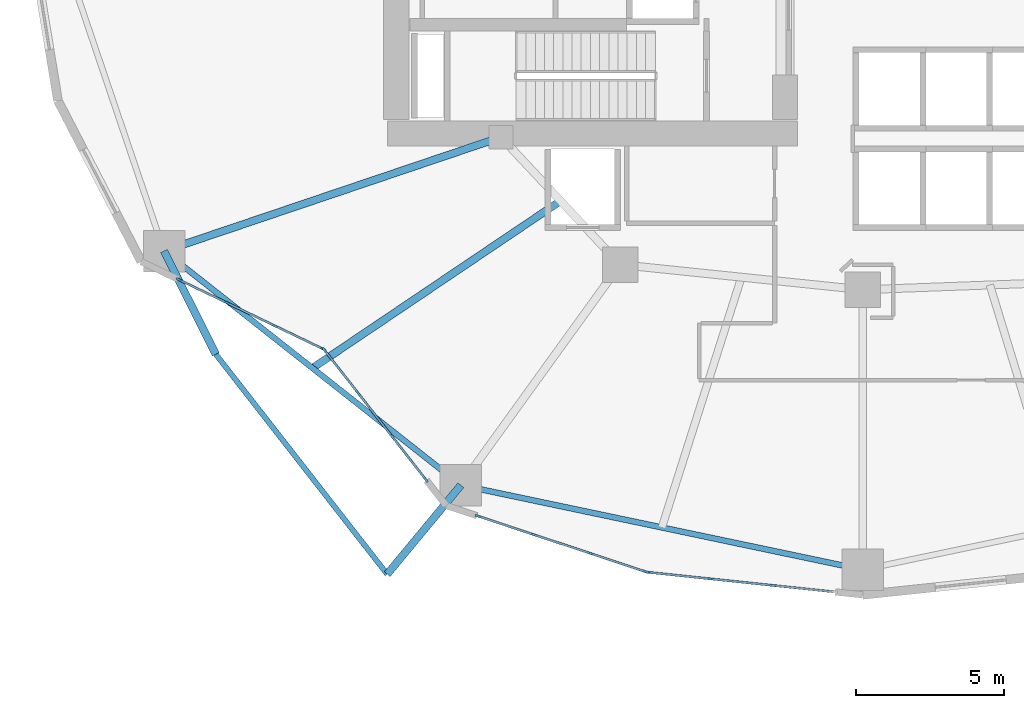
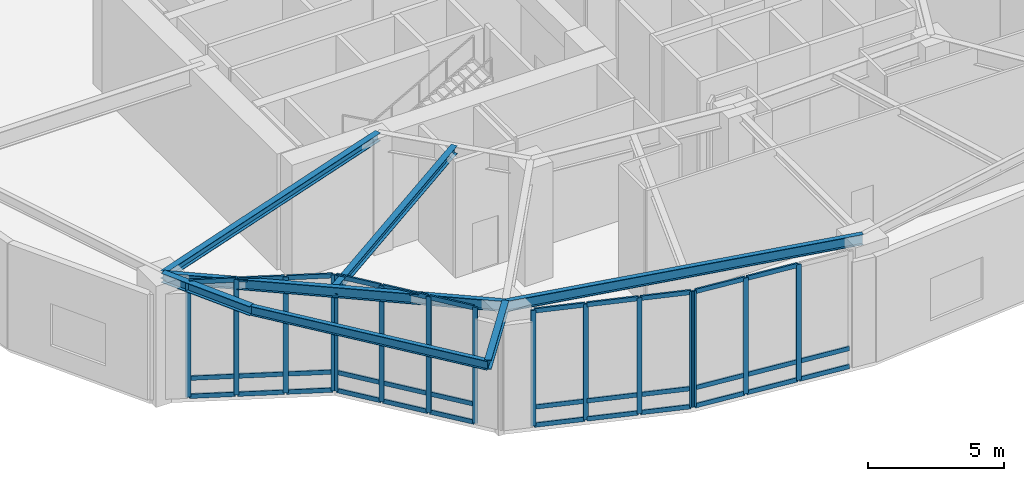
# One storey, part 5 of 29: 50 members, 7 beams, 4 elements without a shape of their own.
"""IFC4 building model written with IfcOpenShell, lengths in metres."""

from ifc_helpers import new_model, si_unit, direction, frame, origin, origin_2d, place, context, subcontext, project, spatial, rectangle, i_section, extrude, material, layer, layer_set, material_profile, profile_set, type_object, element, aggregate, save


model = new_model("IFC4")

# Units and contexts
model_context = context("Model", 3, precision=1e-05, world=origin(), true_north=direction((0.0, 1.0)))
body_context = subcontext(model_context, "Body", "Model", "MODEL_VIEW")
ifc_project = project(units=[si_unit("LENGTHUNIT", "METRE"), si_unit("AREAUNIT", "SQUARE_METRE"), si_unit("VOLUMEUNIT", "CUBIC_METRE"), si_unit("PLANEANGLEUNIT", "RADIAN"), si_unit("MASSUNIT", "GRAM", prefix="KILO")], contexts=[model_context])

# Site, building, storey
site_placement = place(None, origin())
site = spatial("IfcSite", under=ifc_project, at=site_placement, CompositionType="ELEMENT")
building_placement = place(site_placement, origin())
building = spatial("IfcBuilding", under=site, at=building_placement, Name="Kolvaren Gate Tower and Convention Centre", CompositionType="ELEMENT")
storey_placement = place(building_placement, frame((0.0, 0.0, 21.0)))
storey = spatial("IfcBuildingStorey", under=building, at=storey_placement, Name="L04", CompositionType="ELEMENT", Elevation=21.0)

# Curtain wall, members
ifc_material_1 = material(Name="Anodized Architectural Aluminium Alloy 6063-T6", Category="aluminium")
ifc_layer = layer(ifc_material_1, 0.179931640625)
ifc_layer_set = layer_set([ifc_layer], Name="Anodized Architectural Aluminium Alloy 6063-T6")
curtain_wall_type = type_object("IfcCurtainWallType", Name="CW-POD-GLZ", PredefinedType="NOTDEFINED", material=ifc_layer_set)
curtain_wall_1_placement = place(storey_placement, origin())
curtain_wall_1 = element("IfcCurtainWall", 1, at=curtain_wall_1_placement, inside=storey, type_object=curtain_wall_type, Name="Tower L04 Unitised Curtain Wall CW-POD-GLZ Bay 14", PredefinedType="NOTDEFINED")
ifc_material_profile_1 = material_profile(ifc_material_1, rectangle(XDim=0.074951171875, YDim=0.199951171875, at=origin_2d()), Name="CW-MEM-MUL-200")
ifc_profile_set_1 = profile_set([ifc_material_profile_1], Name="Anodized Architectural Aluminium Alloy 6063-T6")
member_type_1 = type_object("IfcMemberType", Name="CW-MEM-MUL-200", PredefinedType="MULLION", material=ifc_profile_set_1)
member_1_placement = place(storey_placement, frame((7.046630859375, 15.1357421875, 0.0), z_axis=(0.0, 0.0, 1.0), x_axis=(0.433056703319, 0.901366679942, 0.0)))
member_1 = element("IfcMember", 2, at=member_1_placement, type_object=member_type_1, Name="CW-01 mullion 1", PredefinedType="MULLION", context=body_context, shape_type="SweptSolid", body=[
    extrude(rectangle(XDim=0.074951171875, YDim=0.199951171875, at=origin_2d()), origin(), (0.0, 0.0, 1.0), 5.219970703125),
])
member_2_placement = place(storey_placement, frame((8.6533203125, 14.36376953125, 0.0), z_axis=(0.0, 0.0, 1.0), x_axis=(0.433056703319, 0.901366679942, 0.0)))
member_2 = element("IfcMember", 3, at=member_2_placement, type_object=member_type_1, Name="CW-01 mullion 2", PredefinedType="MULLION", context=body_context, shape_type="SweptSolid", body=[
    extrude(rectangle(XDim=0.074951171875, YDim=0.199951171875, at=origin_2d()), origin(), (0.0, 0.0, 1.0), 5.219970703125),
])
member_3_placement = place(storey_placement, frame((10.2939453125, 13.575439453125, 0.0), z_axis=(0.0, 0.0, 1.0), x_axis=(0.433056703319, 0.901366679942, 0.0)))
member_3 = element("IfcMember", 4, at=member_3_placement, type_object=member_type_1, Name="CW-01 mullion 3", PredefinedType="MULLION", context=body_context, shape_type="SweptSolid", body=[
    extrude(rectangle(XDim=0.074951171875, YDim=0.199951171875, at=origin_2d()), origin(), (0.0, 0.0, 1.0), 5.219970703125),
])
member_4_placement = place(storey_placement, frame((11.90087890625, 12.803466796875, 0.0), z_axis=(0.0, 0.0, 1.0), x_axis=(0.433056703319, 0.901366679942, 0.0)))
member_4 = element("IfcMember", 5, at=member_4_placement, type_object=member_type_1, Name="CW-01 mullion 4", PredefinedType="MULLION", context=body_context, shape_type="SweptSolid", body=[
    extrude(rectangle(XDim=0.074951171875, YDim=0.199951171875, at=origin_2d()), origin(), (0.0, 0.0, 1.0), 5.219970703125),
])

curtain_wall_2_placement = place(storey_placement, origin())
curtain_wall_2 = element("IfcCurtainWall", 6, at=curtain_wall_2_placement, inside=storey, type_object=curtain_wall_type, Name="Tower L04 Unitised Curtain Wall CW-POD-GLZ Bay 15", PredefinedType="NOTDEFINED")
member_5_placement = place(storey_placement, frame((11.957763671875, 12.757568359375, 0.0), z_axis=(0.0, 0.0, 1.0), x_axis=(0.787416755422, 0.616421003276, 0.0)))
member_5 = element("IfcMember", 7, at=member_5_placement, type_object=member_type_1, Name="CW-01 mullion 1", PredefinedType="MULLION", context=body_context, shape_type="SweptSolid", body=[
    extrude(rectangle(XDim=0.074951171875, YDim=0.199951171875, at=origin_2d()), origin(), (0.0, 0.0, 1.0), 5.219970703125),
])
member_6_placement = place(storey_placement, frame((13.08935546875, 11.31201171875, 0.0), z_axis=(0.0, 0.0, 1.0), x_axis=(0.787416755422, 0.616421003276, 0.0)))
member_6 = element("IfcMember", 8, at=member_6_placement, type_object=member_type_1, Name="CW-01 mullion 2", PredefinedType="MULLION", context=body_context, shape_type="SweptSolid", body=[
    extrude(rectangle(XDim=0.074951171875, YDim=0.199951171875, at=origin_2d()), origin(), (0.0, 0.0, 1.0), 5.219970703125),
])
member_7_placement = place(storey_placement, frame((14.244140625, 9.8369140625, 0.0), z_axis=(0.0, 0.0, 1.0), x_axis=(0.787416755422, 0.616421003276, 0.0)))
member_7 = element("IfcMember", 9, at=member_7_placement, type_object=member_type_1, Name="CW-01 mullion 3", PredefinedType="MULLION", context=body_context, shape_type="SweptSolid", body=[
    extrude(rectangle(XDim=0.074951171875, YDim=0.199951171875, at=origin_2d()), origin(), (0.0, 0.0, 1.0), 5.219970703125),
])
member_8_placement = place(storey_placement, frame((15.3759765625, 8.391357421875, 0.0), z_axis=(0.0, 0.0, 1.0), x_axis=(0.787416755422, 0.616421003276, 0.0)))
member_8 = element("IfcMember", 10, at=member_8_placement, type_object=member_type_1, Name="CW-01 mullion 4", PredefinedType="MULLION", context=body_context, shape_type="SweptSolid", body=[
    extrude(rectangle(XDim=0.074951171875, YDim=0.199951171875, at=origin_2d()), origin(), (0.0, 0.0, 1.0), 5.219970703125),
])

curtain_wall_3_placement = place(storey_placement, origin())
curtain_wall_3 = element("IfcCurtainWall", 11, at=curtain_wall_3_placement, inside=storey, type_object=curtain_wall_type, Name="Tower L04 Unitised Curtain Wall CW-POD-GLZ Bay 16", PredefinedType="NOTDEFINED")
member_9_placement = place(storey_placement, frame((17.137451171875, 7.158203125, 0.0), z_axis=(0.0, 0.0, 1.0), x_axis=(0.314546537175, 0.949242053404, 0.0)))
member_9 = element("IfcMember", 12, at=member_9_placement, type_object=member_type_1, Name="CW-01 mullion 1", PredefinedType="MULLION", context=body_context, shape_type="SweptSolid", body=[
    extrude(rectangle(XDim=0.074951171875, YDim=0.199951171875, at=origin_2d()), origin(), (0.0, 0.0, 1.0), 5.219970703125),
])
member_10_placement = place(storey_placement, frame((19.0166015625, 6.53564453125, 0.0), z_axis=(0.0, 0.0, 1.0), x_axis=(0.314546537175, 0.949242053404, 0.0)))
member_10 = element("IfcMember", 13, at=member_10_placement, type_object=member_type_1, Name="CW-01 mullion 2", PredefinedType="MULLION", context=body_context, shape_type="SweptSolid", body=[
    extrude(rectangle(XDim=0.074951171875, YDim=0.199951171875, at=origin_2d()), origin(), (0.0, 0.0, 1.0), 5.219970703125),
])
member_11_placement = place(storey_placement, frame((20.93115234375, 5.901123046875, 0.0), z_axis=(0.0, 0.0, 1.0), x_axis=(0.314546537175, 0.949242053404, 0.0)))
member_11 = element("IfcMember", 14, at=member_11_placement, type_object=member_type_1, Name="CW-01 mullion 3", PredefinedType="MULLION", context=body_context, shape_type="SweptSolid", body=[
    extrude(rectangle(XDim=0.074951171875, YDim=0.199951171875, at=origin_2d()), origin(), (0.0, 0.0, 1.0), 5.219970703125),
])
member_12_placement = place(storey_placement, frame((22.81005859375, 5.278564453125, 0.0), z_axis=(0.0, 0.0, 1.0), x_axis=(0.314546537175, 0.949242053404, 0.0)))
member_12 = element("IfcMember", 15, at=member_12_placement, type_object=member_type_1, Name="CW-01 mullion 4", PredefinedType="MULLION", context=body_context, shape_type="SweptSolid", body=[
    extrude(rectangle(XDim=0.074951171875, YDim=0.199951171875, at=origin_2d()), origin(), (0.0, 0.0, 1.0), 5.219970703125),
])

curtain_wall_4_placement = place(storey_placement, origin())
curtain_wall_4 = element("IfcCurtainWall", 16, at=curtain_wall_4_placement, inside=storey, type_object=curtain_wall_type, Name="Tower L04 Unitised Curtain Wall CW-POD-GLZ Bay 17", PredefinedType="NOTDEFINED")
member_13_placement = place(storey_placement, frame((22.883056640625, 5.2626953125, 0.0), z_axis=(0.0, 0.0, 1.0), x_axis=(0.104741799872, 0.994499449653, 0.0)))
member_13 = element("IfcMember", 17, at=member_13_placement, type_object=member_type_1, Name="CW-01 mullion 1", PredefinedType="MULLION", context=body_context, shape_type="SweptSolid", body=[
    extrude(rectangle(XDim=0.074951171875, YDim=0.199951171875, at=origin_2d()), origin(), (0.0, 0.0, 1.0), 5.219970703125),
])
member_14_placement = place(storey_placement, frame((24.96435546875, 5.04345703125, 0.0), z_axis=(0.0, 0.0, 1.0), x_axis=(0.104741799872, 0.994499449653, 0.0)))
member_14 = element("IfcMember", 18, at=member_14_placement, type_object=member_type_1, Name="CW-01 mullion 2", PredefinedType="MULLION", context=body_context, shape_type="SweptSolid", body=[
    extrude(rectangle(XDim=0.074951171875, YDim=0.199951171875, at=origin_2d()), origin(), (0.0, 0.0, 1.0), 5.219970703125),
])
member_15_placement = place(storey_placement, frame((27.0830078125, 4.8203125, 0.0), z_axis=(0.0, 0.0, 1.0), x_axis=(0.104741799872, 0.994499449653, 0.0)))
member_15 = element("IfcMember", 19, at=member_15_placement, type_object=member_type_1, Name="CW-01 mullion 3", PredefinedType="MULLION", context=body_context, shape_type="SweptSolid", body=[
    extrude(rectangle(XDim=0.074951171875, YDim=0.199951171875, at=origin_2d()), origin(), (0.0, 0.0, 1.0), 5.219970703125),
])

# Member
ifc_material_profile_2 = material_profile(ifc_material_1, rectangle(XDim=0.074951171875, YDim=0.199951171875, at=origin_2d()), Name="CW-MEM-TRN-200")
ifc_profile_set_2 = profile_set([ifc_material_profile_2], Name="Anodized Architectural Aluminium Alloy 6063-T6")
member_type_2 = type_object("IfcMemberType", Name="CW-MEM-TRN-200", PredefinedType="USERDEFINED", material=ifc_profile_set_2)
member_16_placement = place(storey_placement, frame((7.080322265625, 15.119384765625, 0.03759765625), z_axis=(0.901377999465, -0.433033142011, 0.0), x_axis=(0.433033142011, 0.901377999465, 0.0)))
member_16 = element("IfcMember", 20, at=member_16_placement, type_object=member_type_2, Name="CW-01 transom 1.1", ObjectType="TRANSOM", PredefinedType="USERDEFINED", context=body_context, shape_type="SweptSolid", body=[
    extrude(rectangle(XDim=0.074951171875, YDim=0.199951171875, at=origin_2d()), origin(), (0.0, 0.0, 1.0), 1.707763671875),
])

member_17_placement = place(storey_placement, frame((7.080322265625, 15.119384765625, 0.85009765625), z_axis=(0.901377999465, -0.433033142011, 0.0), x_axis=(0.433033142011, 0.901377999465, 0.0)))
member_17 = element("IfcMember", 21, at=member_17_placement, type_object=member_type_2, Name="CW-01 transom 1.2", ObjectType="TRANSOM", PredefinedType="USERDEFINED", context=body_context, shape_type="SweptSolid", body=[
    extrude(rectangle(XDim=0.074951171875, YDim=0.199951171875, at=origin_2d()), origin(), (0.0, 0.0, 1.0), 1.707763671875),
])

member_18_placement = place(storey_placement, frame((7.080322265625, 15.119384765625, 5.1826171875), z_axis=(0.901377999465, -0.433033142011, 0.0), x_axis=(0.433033142011, 0.901377999465, 0.0)))
member_18 = element("IfcMember", 22, at=member_18_placement, type_object=member_type_2, Name="CW-01 transom 1.3", ObjectType="TRANSOM", PredefinedType="USERDEFINED", context=body_context, shape_type="SweptSolid", body=[
    extrude(rectangle(XDim=0.074951171875, YDim=0.199951171875, at=origin_2d()), origin(), (0.0, 0.0, 1.0), 1.707763671875),
])

member_19_placement = place(storey_placement, frame((8.687255859375, 14.347412109375, 0.03759765625), z_axis=(0.901339603895, -0.433113055046, 0.0), x_axis=(0.433113055046, 0.901339603895, 0.0)))
member_19 = element("IfcMember", 23, at=member_19_placement, type_object=member_type_2, Name="CW-01 transom 2.1", ObjectType="TRANSOM", PredefinedType="USERDEFINED", context=body_context, shape_type="SweptSolid", body=[
    extrude(rectangle(XDim=0.074951171875, YDim=0.199951171875, at=origin_2d()), origin(), (0.0, 0.0, 1.0), 1.7451171875),
])

member_20_placement = place(storey_placement, frame((8.687255859375, 14.347412109375, 0.85009765625), z_axis=(0.901339603895, -0.433113055046, 0.0), x_axis=(0.433113055046, 0.901339603895, 0.0)))
member_20 = element("IfcMember", 24, at=member_20_placement, type_object=member_type_2, Name="CW-01 transom 2.2", ObjectType="TRANSOM", PredefinedType="USERDEFINED", context=body_context, shape_type="SweptSolid", body=[
    extrude(rectangle(XDim=0.074951171875, YDim=0.199951171875, at=origin_2d()), origin(), (0.0, 0.0, 1.0), 1.7451171875),
])

member_21_placement = place(storey_placement, frame((8.687255859375, 14.347412109375, 5.1826171875), z_axis=(0.901339603895, -0.433113055046, 0.0), x_axis=(0.433113055046, 0.901339603895, 0.0)))
member_21 = element("IfcMember", 25, at=member_21_placement, type_object=member_type_2, Name="CW-01 transom 2.3", ObjectType="TRANSOM", PredefinedType="USERDEFINED", context=body_context, shape_type="SweptSolid", body=[
    extrude(rectangle(XDim=0.074951171875, YDim=0.199951171875, at=origin_2d()), origin(), (0.0, 0.0, 1.0), 1.7451171875),
])

member_22_placement = place(storey_placement, frame((10.327880859375, 13.55908203125, 0.03759765625), z_axis=(0.901377999465, -0.433033142011, 0.0), x_axis=(0.433033142011, 0.901377999465, 0.0)))
member_22 = element("IfcMember", 26, at=member_22_placement, type_object=member_type_2, Name="CW-01 transom 3.1", ObjectType="TRANSOM", PredefinedType="USERDEFINED", context=body_context, shape_type="SweptSolid", body=[
    extrude(rectangle(XDim=0.074951171875, YDim=0.199951171875, at=origin_2d()), origin(), (0.0, 0.0, 1.0), 1.707763671875),
])

member_23_placement = place(storey_placement, frame((10.327880859375, 13.55908203125, 0.85009765625), z_axis=(0.901377999465, -0.433033142011, 0.0), x_axis=(0.433033142011, 0.901377999465, 0.0)))
member_23 = element("IfcMember", 27, at=member_23_placement, type_object=member_type_2, Name="CW-01 transom 3.2", ObjectType="TRANSOM", PredefinedType="USERDEFINED", context=body_context, shape_type="SweptSolid", body=[
    extrude(rectangle(XDim=0.074951171875, YDim=0.199951171875, at=origin_2d()), origin(), (0.0, 0.0, 1.0), 1.707763671875),
])

member_24_placement = place(storey_placement, frame((10.327880859375, 13.55908203125, 5.1826171875), z_axis=(0.901377999465, -0.433033142011, 0.0), x_axis=(0.433033142011, 0.901377999465, 0.0)))
member_24 = element("IfcMember", 28, at=member_24_placement, type_object=member_type_2, Name="CW-01 transom 3.3", ObjectType="TRANSOM", PredefinedType="USERDEFINED", context=body_context, shape_type="SweptSolid", body=[
    extrude(rectangle(XDim=0.074951171875, YDim=0.199951171875, at=origin_2d()), origin(), (0.0, 0.0, 1.0), 1.707763671875),
])

aggregate(curtain_wall_1, [member_1, member_2, member_3, member_4, member_16, member_17, member_18, member_19, member_20, member_21, member_22, member_23, member_24])

member_25_placement = place(storey_placement, frame((11.98095703125, 12.72802734375, 0.03759765625), z_axis=(0.616442840137, -0.787399660175, 0.0), x_axis=(0.787399660175, 0.616442840137, 0.0)))
member_25 = element("IfcMember", 29, at=member_25_placement, type_object=member_type_2, Name="CW-01 transom 1.1", ObjectType="TRANSOM", PredefinedType="USERDEFINED", context=body_context, shape_type="SweptSolid", body=[
    extrude(rectangle(XDim=0.074951171875, YDim=0.199951171875, at=origin_2d()), origin(), (0.0, 0.0, 1.0), 1.7607421875),
])

member_26_placement = place(storey_placement, frame((11.98095703125, 12.72802734375, 0.85009765625), z_axis=(0.616442840137, -0.787399660175, 0.0), x_axis=(0.787399660175, 0.616442840137, 0.0)))
member_26 = element("IfcMember", 30, at=member_26_placement, type_object=member_type_2, Name="CW-01 transom 1.2", ObjectType="TRANSOM", PredefinedType="USERDEFINED", context=body_context, shape_type="SweptSolid", body=[
    extrude(rectangle(XDim=0.074951171875, YDim=0.199951171875, at=origin_2d()), origin(), (0.0, 0.0, 1.0), 1.7607421875),
])

member_27_placement = place(storey_placement, frame((11.98095703125, 12.72802734375, 5.1826171875), z_axis=(0.616442840137, -0.787399660175, 0.0), x_axis=(0.787399660175, 0.616442840137, 0.0)))
member_27 = element("IfcMember", 31, at=member_27_placement, type_object=member_type_2, Name="CW-01 transom 1.3", ObjectType="TRANSOM", PredefinedType="USERDEFINED", context=body_context, shape_type="SweptSolid", body=[
    extrude(rectangle(XDim=0.074951171875, YDim=0.199951171875, at=origin_2d()), origin(), (0.0, 0.0, 1.0), 1.7607421875),
])

member_28_placement = place(storey_placement, frame((13.112548828125, 11.282470703125, 0.03759765625), z_axis=(0.616465649316, -0.787381802694, 0.0), x_axis=(0.787381802694, 0.616465649316, 0.0)))
member_28 = element("IfcMember", 32, at=member_28_placement, type_object=member_type_2, Name="CW-01 transom 2.1", ObjectType="TRANSOM", PredefinedType="USERDEFINED", context=body_context, shape_type="SweptSolid", body=[
    extrude(rectangle(XDim=0.074951171875, YDim=0.199951171875, at=origin_2d()), origin(), (0.0, 0.0, 1.0), 1.79833984375),
])

member_29_placement = place(storey_placement, frame((13.112548828125, 11.282470703125, 0.85009765625), z_axis=(0.616465649316, -0.787381802694, 0.0), x_axis=(0.787381802694, 0.616465649316, 0.0)))
member_29 = element("IfcMember", 33, at=member_29_placement, type_object=member_type_2, Name="CW-01 transom 2.2", ObjectType="TRANSOM", PredefinedType="USERDEFINED", context=body_context, shape_type="SweptSolid", body=[
    extrude(rectangle(XDim=0.074951171875, YDim=0.199951171875, at=origin_2d()), origin(), (0.0, 0.0, 1.0), 1.79833984375),
])

member_30_placement = place(storey_placement, frame((13.112548828125, 11.282470703125, 5.1826171875), z_axis=(0.616465649316, -0.787381802694, 0.0), x_axis=(0.787381802694, 0.616465649316, 0.0)))
member_30 = element("IfcMember", 34, at=member_30_placement, type_object=member_type_2, Name="CW-01 transom 2.3", ObjectType="TRANSOM", PredefinedType="USERDEFINED", context=body_context, shape_type="SweptSolid", body=[
    extrude(rectangle(XDim=0.074951171875, YDim=0.199951171875, at=origin_2d()), origin(), (0.0, 0.0, 1.0), 1.79833984375),
])

member_31_placement = place(storey_placement, frame((14.267333984375, 9.807373046875, 0.03759765625), z_axis=(0.616442840137, -0.787399660175, 0.0), x_axis=(0.787399660175, 0.616442840137, 0.0)))
member_31 = element("IfcMember", 35, at=member_31_placement, type_object=member_type_2, Name="CW-01 transom 3.1", ObjectType="TRANSOM", PredefinedType="USERDEFINED", context=body_context, shape_type="SweptSolid", body=[
    extrude(rectangle(XDim=0.074951171875, YDim=0.199951171875, at=origin_2d()), origin(), (0.0, 0.0, 1.0), 1.7607421875),
])

member_32_placement = place(storey_placement, frame((14.267333984375, 9.807373046875, 0.85009765625), z_axis=(0.616442840137, -0.787399660175, 0.0), x_axis=(0.787399660175, 0.616442840137, 0.0)))
member_32 = element("IfcMember", 36, at=member_32_placement, type_object=member_type_2, Name="CW-01 transom 3.2", ObjectType="TRANSOM", PredefinedType="USERDEFINED", context=body_context, shape_type="SweptSolid", body=[
    extrude(rectangle(XDim=0.074951171875, YDim=0.199951171875, at=origin_2d()), origin(), (0.0, 0.0, 1.0), 1.7607421875),
])

member_33_placement = place(storey_placement, frame((14.267333984375, 9.807373046875, 5.1826171875), z_axis=(0.616442840137, -0.787399660175, 0.0), x_axis=(0.787399660175, 0.616442840137, 0.0)))
member_33 = element("IfcMember", 37, at=member_33_placement, type_object=member_type_2, Name="CW-01 transom 3.3", ObjectType="TRANSOM", PredefinedType="USERDEFINED", context=body_context, shape_type="SweptSolid", body=[
    extrude(rectangle(XDim=0.074951171875, YDim=0.199951171875, at=origin_2d()), origin(), (0.0, 0.0, 1.0), 1.7607421875),
])

aggregate(curtain_wall_2, [member_5, member_6, member_7, member_8, member_25, member_26, member_27, member_28, member_29, member_30, member_31, member_32, member_33])

member_34_placement = place(storey_placement, frame((17.173095703125, 7.146484375, 0.03759765625), z_axis=(0.949233065789, -0.314573658804, 0.0), x_axis=(0.314573658804, 0.949233065789, 0.0)))
member_34 = element("IfcMember", 38, at=member_34_placement, type_object=member_type_2, Name="CW-01 transom 1.1", ObjectType="TRANSOM", PredefinedType="USERDEFINED", context=body_context, shape_type="SweptSolid", body=[
    extrude(rectangle(XDim=0.074951171875, YDim=0.199951171875, at=origin_2d()), origin(), (0.0, 0.0, 1.0), 1.904541015625),
])

member_35_placement = place(storey_placement, frame((17.173095703125, 7.146484375, 0.85009765625), z_axis=(0.949233065789, -0.314573658804, 0.0), x_axis=(0.314573658804, 0.949233065789, 0.0)))
member_35 = element("IfcMember", 39, at=member_35_placement, type_object=member_type_2, Name="CW-01 transom 1.2", ObjectType="TRANSOM", PredefinedType="USERDEFINED", context=body_context, shape_type="SweptSolid", body=[
    extrude(rectangle(XDim=0.074951171875, YDim=0.199951171875, at=origin_2d()), origin(), (0.0, 0.0, 1.0), 1.904541015625),
])

member_36_placement = place(storey_placement, frame((17.173095703125, 7.146484375, 5.1826171875), z_axis=(0.949233065789, -0.314573658804, 0.0), x_axis=(0.314573658804, 0.949233065789, 0.0)))
member_36 = element("IfcMember", 40, at=member_36_placement, type_object=member_type_2, Name="CW-01 transom 1.3", ObjectType="TRANSOM", PredefinedType="USERDEFINED", context=body_context, shape_type="SweptSolid", body=[
    extrude(rectangle(XDim=0.074951171875, YDim=0.199951171875, at=origin_2d()), origin(), (0.0, 0.0, 1.0), 1.904541015625),
])

member_37_placement = place(storey_placement, frame((19.052001953125, 6.523681640625, 0.03759765625), z_axis=(0.949247481786, -0.314530154871, 0.0), x_axis=(0.314530154871, 0.949247481786, 0.0)))
member_37 = element("IfcMember", 41, at=member_37_placement, type_object=member_type_2, Name="CW-01 transom 2.1", ObjectType="TRANSOM", PredefinedType="USERDEFINED", context=body_context, shape_type="SweptSolid", body=[
    extrude(rectangle(XDim=0.074951171875, YDim=0.199951171875, at=origin_2d()), origin(), (0.0, 0.0, 1.0), 1.942138671875),
])

member_38_placement = place(storey_placement, frame((19.052001953125, 6.523681640625, 0.85009765625), z_axis=(0.949247481786, -0.314530154871, 0.0), x_axis=(0.314530154871, 0.949247481786, 0.0)))
member_38 = element("IfcMember", 42, at=member_38_placement, type_object=member_type_2, Name="CW-01 transom 2.2", ObjectType="TRANSOM", PredefinedType="USERDEFINED", context=body_context, shape_type="SweptSolid", body=[
    extrude(rectangle(XDim=0.074951171875, YDim=0.199951171875, at=origin_2d()), origin(), (0.0, 0.0, 1.0), 1.942138671875),
])

member_39_placement = place(storey_placement, frame((19.052001953125, 6.523681640625, 5.1826171875), z_axis=(0.949247481786, -0.314530154871, 0.0), x_axis=(0.314530154871, 0.949247481786, 0.0)))
member_39 = element("IfcMember", 43, at=member_39_placement, type_object=member_type_2, Name="CW-01 transom 2.3", ObjectType="TRANSOM", PredefinedType="USERDEFINED", context=body_context, shape_type="SweptSolid", body=[
    extrude(rectangle(XDim=0.074951171875, YDim=0.199951171875, at=origin_2d()), origin(), (0.0, 0.0, 1.0), 1.942138671875),
])

member_40_placement = place(storey_placement, frame((20.966796875, 5.889404296875, 0.03759765625), z_axis=(0.949220378414, -0.314611940657, 0.0), x_axis=(0.314611940657, 0.949220378414, 0.0)))
member_40 = element("IfcMember", 44, at=member_40_placement, type_object=member_type_2, Name="CW-01 transom 3.1", ObjectType="TRANSOM", PredefinedType="USERDEFINED", context=body_context, shape_type="SweptSolid", body=[
    extrude(rectangle(XDim=0.074951171875, YDim=0.199951171875, at=origin_2d()), origin(), (0.0, 0.0, 1.0), 1.904296875),
])

member_41_placement = place(storey_placement, frame((20.966796875, 5.889404296875, 0.85009765625), z_axis=(0.949220378414, -0.314611940657, 0.0), x_axis=(0.314611940657, 0.949220378414, 0.0)))
member_41 = element("IfcMember", 45, at=member_41_placement, type_object=member_type_2, Name="CW-01 transom 3.2", ObjectType="TRANSOM", PredefinedType="USERDEFINED", context=body_context, shape_type="SweptSolid", body=[
    extrude(rectangle(XDim=0.074951171875, YDim=0.199951171875, at=origin_2d()), origin(), (0.0, 0.0, 1.0), 1.904296875),
])

member_42_placement = place(storey_placement, frame((20.966796875, 5.889404296875, 5.1826171875), z_axis=(0.949220378414, -0.314611940657, 0.0), x_axis=(0.314611940657, 0.949220378414, 0.0)))
member_42 = element("IfcMember", 46, at=member_42_placement, type_object=member_type_2, Name="CW-01 transom 3.3", ObjectType="TRANSOM", PredefinedType="USERDEFINED", context=body_context, shape_type="SweptSolid", body=[
    extrude(rectangle(XDim=0.074951171875, YDim=0.199951171875, at=origin_2d()), origin(), (0.0, 0.0, 1.0), 1.904296875),
])

aggregate(curtain_wall_3, [member_9, member_10, member_11, member_12, member_34, member_35, member_36, member_37, member_38, member_39, member_40, member_41, member_42])

member_43_placement = place(storey_placement, frame((22.920166015625, 5.2587890625, 0.03759765625), z_axis=(0.994508767121, -0.104653294837, 0.0), x_axis=(0.104653294837, 0.994508767121, 0.0)))
member_43 = element("IfcMember", 47, at=member_43_placement, type_object=member_type_2, Name="CW-01 transom 1.1", ObjectType="TRANSOM", PredefinedType="USERDEFINED", context=body_context, shape_type="SweptSolid", body=[
    extrude(rectangle(XDim=0.074951171875, YDim=0.199951171875, at=origin_2d()), origin(), (0.0, 0.0, 1.0), 2.017822265625),
])

member_44_placement = place(storey_placement, frame((22.920166015625, 5.2587890625, 0.85009765625), z_axis=(0.994508767121, -0.104653294837, 0.0), x_axis=(0.104653294837, 0.994508767121, 0.0)))
member_44 = element("IfcMember", 48, at=member_44_placement, type_object=member_type_2, Name="CW-01 transom 1.2", ObjectType="TRANSOM", PredefinedType="USERDEFINED", context=body_context, shape_type="SweptSolid", body=[
    extrude(rectangle(XDim=0.074951171875, YDim=0.199951171875, at=origin_2d()), origin(), (0.0, 0.0, 1.0), 2.017822265625),
])

member_45_placement = place(storey_placement, frame((22.920166015625, 5.2587890625, 5.1826171875), z_axis=(0.994508767121, -0.104653294837, 0.0), x_axis=(0.104653294837, 0.994508767121, 0.0)))
member_45 = element("IfcMember", 49, at=member_45_placement, type_object=member_type_2, Name="CW-01 transom 1.3", ObjectType="TRANSOM", PredefinedType="USERDEFINED", context=body_context, shape_type="SweptSolid", body=[
    extrude(rectangle(XDim=0.074951171875, YDim=0.199951171875, at=origin_2d()), origin(), (0.0, 0.0, 1.0), 2.017822265625),
])

member_46_placement = place(storey_placement, frame((25.001708984375, 5.03955078125, 0.03759765625), z_axis=(0.994508706958, -0.104653866559, 0.0), x_axis=(0.104653866559, 0.994508706958, 0.0)))
member_46 = element("IfcMember", 50, at=member_46_placement, type_object=member_type_2, Name="CW-01 transom 2.1", ObjectType="TRANSOM", PredefinedType="USERDEFINED", context=body_context, shape_type="SweptSolid", body=[
    extrude(rectangle(XDim=0.074951171875, YDim=0.199951171875, at=origin_2d()), origin(), (0.0, 0.0, 1.0), 2.05517578125),
])

member_47_placement = place(storey_placement, frame((25.001708984375, 5.03955078125, 0.85009765625), z_axis=(0.994508706958, -0.104653866559, 0.0), x_axis=(0.104653866559, 0.994508706958, 0.0)))
member_47 = element("IfcMember", 51, at=member_47_placement, type_object=member_type_2, Name="CW-01 transom 2.2", ObjectType="TRANSOM", PredefinedType="USERDEFINED", context=body_context, shape_type="SweptSolid", body=[
    extrude(rectangle(XDim=0.074951171875, YDim=0.199951171875, at=origin_2d()), origin(), (0.0, 0.0, 1.0), 2.05517578125),
])

member_48_placement = place(storey_placement, frame((25.001708984375, 5.03955078125, 5.1826171875), z_axis=(0.994508706958, -0.104653866559, 0.0), x_axis=(0.104653866559, 0.994508706958, 0.0)))
member_48 = element("IfcMember", 52, at=member_48_placement, type_object=member_type_2, Name="CW-01 transom 2.3", ObjectType="TRANSOM", PredefinedType="USERDEFINED", context=body_context, shape_type="SweptSolid", body=[
    extrude(rectangle(XDim=0.074951171875, YDim=0.199951171875, at=origin_2d()), origin(), (0.0, 0.0, 1.0), 2.05517578125),
])

member_49_placement = place(storey_placement, frame((27.1201171875, 4.81640625, 0.03759765625), z_axis=(0.994508767121, -0.104653294837, 0.0), x_axis=(0.104653294837, 0.994508767121, 0.0)))
member_49 = element("IfcMember", 53, at=member_49_placement, type_object=member_type_2, Name="CW-01 transom 3.1", ObjectType="TRANSOM", PredefinedType="USERDEFINED", context=body_context, shape_type="SweptSolid", body=[
    extrude(rectangle(XDim=0.074951171875, YDim=0.199951171875, at=origin_2d()), origin(), (0.0, 0.0, 1.0), 2.017822265625),
])

member_50_placement = place(storey_placement, frame((27.1201171875, 4.81640625, 0.85009765625), z_axis=(0.994508767121, -0.104653294837, 0.0), x_axis=(0.104653294837, 0.994508767121, 0.0)))
member_50 = element("IfcMember", 54, at=member_50_placement, type_object=member_type_2, Name="CW-01 transom 3.2", ObjectType="TRANSOM", PredefinedType="USERDEFINED", context=body_context, shape_type="SweptSolid", body=[
    extrude(rectangle(XDim=0.074951171875, YDim=0.199951171875, at=origin_2d()), origin(), (0.0, 0.0, 1.0), 2.017822265625),
])

aggregate(curtain_wall_4, [member_13, member_14, member_15, member_43, member_44, member_45, member_46, member_47, member_48, member_49, member_50])

# Beams
ifc_material_2 = material(Name="Structural steel ASTM A992 Grade 345 MPa", Category="steel")
ifc_material_profile_3 = material_profile(ifc_material_2, i_section(OverallWidth=0.260009765625, OverallDepth=0.419921875, WebThickness=0.013427734375, FlangeThickness=0.0224609375, at=origin_2d()), Name="W410X132")
ifc_profile_set_3 = profile_set([ifc_material_profile_3], Name="Structural steel ASTM A992 Grade 345 MPa")
beam_type_1 = type_object("IfcBeamType", Name="STR-BM-W410X132", PredefinedType="BEAM", material=ifc_profile_set_3)
beam_1_placement = place(storey_placement, frame((6.539794921875, 16.1064453125, 5.010498046875), z_axis=(0.448264934313, -0.893900748778, 0.0), x_axis=(0.893900748778, 0.448264934313, 0.0)))
element("IfcBeam", 55, at=beam_1_placement, inside=storey, type_object=beam_type_1, Name="Tower L05 Planted Balcony Outrigger Cantilever BC-3A", PredefinedType="BEAM", context=body_context, shape_type="SweptSolid", body=[
    extrude(i_section(OverallWidth=0.260009765625, OverallDepth=0.419921875, WebThickness=0.013427734375, FlangeThickness=0.0224609375, at=origin_2d()), origin(), (0.0, 0.0, 1.0), 3.900146484375),
])
beam_2_placement = place(storey_placement, frame((16.559814453125, 8.20361328125, 5.010498046875), z_axis=(-0.637866192119, -0.770147207326, 0.0), x_axis=(0.770147207326, -0.637866192119, 0.0)))
element("IfcBeam", 56, at=beam_2_placement, inside=storey, type_object=beam_type_1, Name="Tower L05 Planted Balcony Outrigger Cantilever BC-3B", PredefinedType="BEAM", context=body_context, shape_type="SweptSolid", body=[
    extrude(i_section(OverallWidth=0.260009765625, OverallDepth=0.419921875, WebThickness=0.013427734375, FlangeThickness=0.0224609375, at=origin_2d()), origin(), (0.0, 0.0, 1.0), 3.89990234375),
])
ifc_material_profile_4 = material_profile(ifc_material_2, i_section(OverallWidth=0.2548828125, OverallDepth=0.35693359375, WebThickness=0.010498046875, FlangeThickness=0.018310546875, at=origin_2d()), Name="W360X101")
ifc_profile_set_4 = profile_set([ifc_material_profile_4], Name="Structural steel ASTM A992 Grade 345 MPa")
beam_type_2 = type_object("IfcBeamType", Name="STR-JS-W360X101", PredefinedType="JOIST", material=ifc_profile_set_4)
beam_3_placement = place(storey_placement, frame((17.9140625, 19.949951171875, 5.04150390625), z_axis=(-0.947373842609, -0.320129352512, 0.0), x_axis=(0.320129352512, -0.947373842609, 0.0)))
element("IfcBeam", 57, at=beam_3_placement, inside=storey, type_object=beam_type_2, Name="Tower L04 Radial Floor Girder RB-08", PredefinedType="JOIST", context=body_context, shape_type="SweptSolid", body=[
    extrude(i_section(OverallWidth=0.2548828125, OverallDepth=0.35693359375, WebThickness=0.010498046875, FlangeThickness=0.018310546875, at=origin_2d()), origin(), (0.0, 0.0, 1.0), 12.006103515625),
])
beam_4_placement = place(storey_placement, frame((19.923095703125, 17.798828125, 5.04150390625), z_axis=(-0.829223797874, -0.558916713866, 0.0), x_axis=(0.558916713866, -0.829223797874, 0.0)))
element("IfcBeam", 58, at=beam_4_placement, inside=storey, type_object=beam_type_2, Name="Tower L04 Secondary Composite Floor Joist J-08.1", PredefinedType="JOIST", context=body_context, shape_type="SweptSolid", body=[
    extrude(i_section(OverallWidth=0.2548828125, OverallDepth=0.35693359375, WebThickness=0.010498046875, FlangeThickness=0.018310546875, at=origin_2d()), origin(), (0.0, 0.0, 1.0), 10.09765625),
])
ifc_material_profile_5 = material_profile(ifc_material_2, i_section(OverallWidth=0.180908203125, OverallDepth=0.4169921875, WebThickness=0.010986328125, FlangeThickness=0.018310546875, at=origin_2d()), Name="W410X85")
ifc_profile_set_5 = profile_set([ifc_material_profile_5], Name="Structural steel ASTM A992 Grade 345 MPa")
beam_type_3 = type_object("IfcBeamType", Name="STR-SP-W410X85", PredefinedType="SPANDREL", material=ifc_profile_set_5)
beam_5_placement = place(storey_placement, frame((8.2880859375, 12.6201171875, 5.011962890625), z_axis=(0.614809768984, -0.788675438924, 0.0), x_axis=(0.788675438924, 0.614809768984, 0.0)))
element("IfcBeam", 59, at=beam_5_placement, inside=storey, type_object=beam_type_3, Name="Tower L05 Planted Balcony Header Tie Beam BT-3", PredefinedType="SPANDREL", context=body_context, shape_type="SweptSolid", body=[
    extrude(i_section(OverallWidth=0.180908203125, OverallDepth=0.4169921875, WebThickness=0.010986328125, FlangeThickness=0.018310546875, at=origin_2d()), origin(), (0.0, 0.0, 1.0), 9.407958984375),
])
ifc_material_profile_6 = material_profile(ifc_material_2, i_section(OverallWidth=0.194091796875, OverallDepth=0.468994140625, WebThickness=0.0126953125, FlangeThickness=0.0205078125, at=origin_2d()), Name="W460X106")
ifc_profile_set_6 = profile_set([ifc_material_profile_6], Name="Structural steel ASTM A992 Grade 345 MPa")
beam_type_4 = type_object("IfcBeamType", Name="STR-SP-W460X106", PredefinedType="SPANDREL", material=ifc_profile_set_6)
beam_6_placement = place(storey_placement, frame((6.539794921875, 16.1064453125, 4.985595703125), z_axis=(0.785176498861, -0.619272044933, 0.0), x_axis=(0.619272044933, 0.785176498861, 0.0)))
element("IfcBeam", 60, at=beam_6_placement, inside=storey, type_object=beam_type_4, Name="Tower L04 Perimeter Spandrel Beam SP-08", PredefinedType="SPANDREL", context=body_context, shape_type="SweptSolid", body=[
    extrude(i_section(OverallWidth=0.194091796875, OverallDepth=0.468994140625, WebThickness=0.0126953125, FlangeThickness=0.0205078125, at=origin_2d()), origin(), (0.0, 0.0, 1.0), 12.761474609375),
])
beam_7_placement = place(storey_placement, frame((16.559814453125, 8.20361328125, 4.985595703125), z_axis=(0.978583407863, -0.205850707685, 0.0), x_axis=(0.205850707685, 0.978583407863, 0.0)))
element("IfcBeam", 61, at=beam_7_placement, inside=storey, type_object=beam_type_4, Name="Tower L04 Perimeter Spandrel Beam SP-09", PredefinedType="SPANDREL", context=body_context, shape_type="SweptSolid", body=[
    extrude(i_section(OverallWidth=0.194091796875, OverallDepth=0.468994140625, WebThickness=0.0126953125, FlangeThickness=0.0205078125, at=origin_2d()), origin(), (0.0, 0.0, 1.0), 13.862060546875),
])

save(model, "model.ifc")
